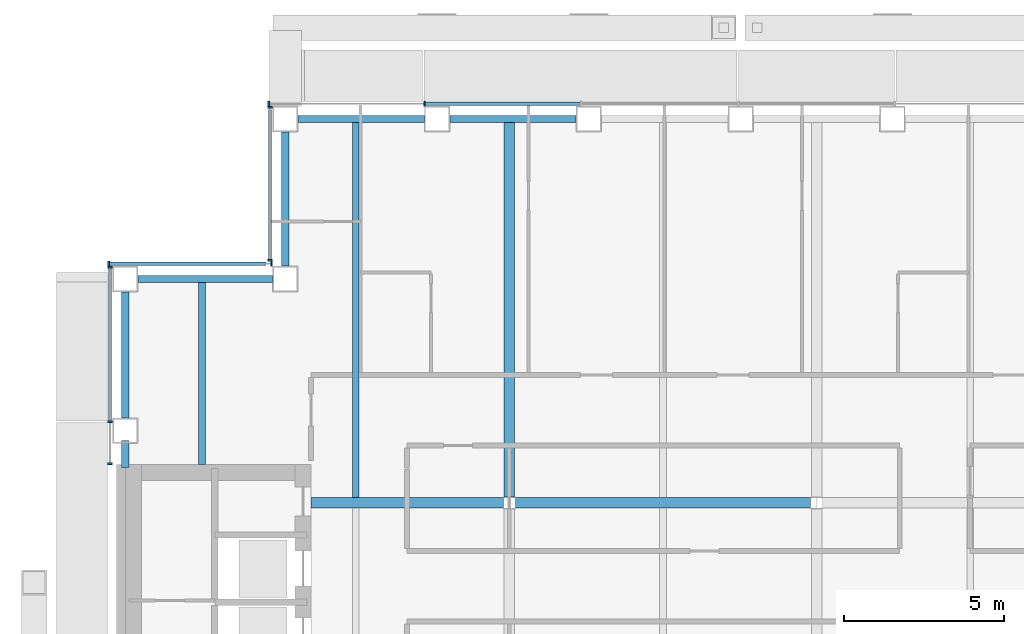
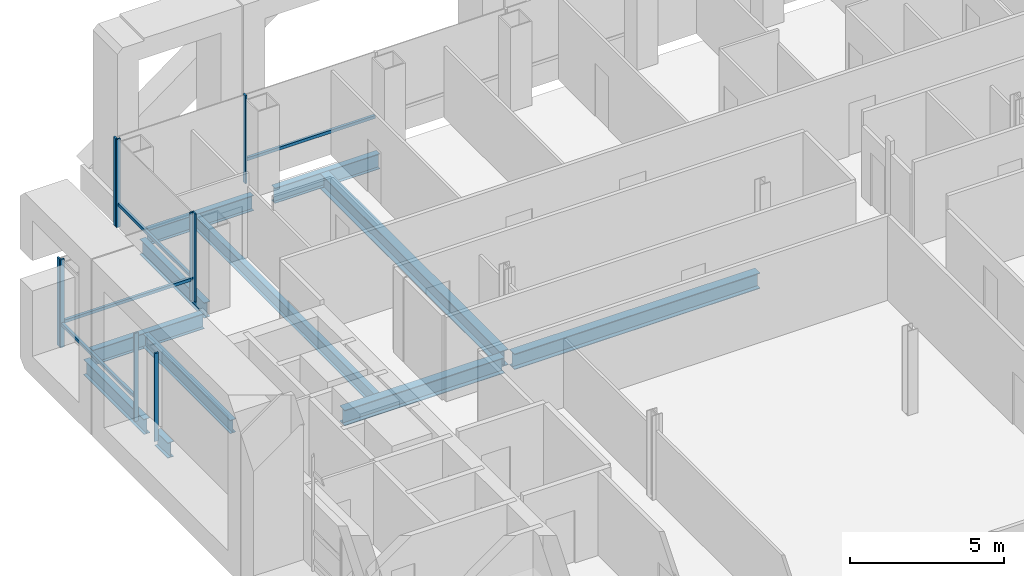
# One storey, part 8 of 22: 13 members, 11 beams, 4 elements without a shape of their own.
"""IFC4 building model written with IfcOpenShell, lengths in metres."""

from ifc_helpers import new_model, si_unit, direction, frame, origin, origin_2d, place, context, subcontext, project, spatial, rectangle, i_section, extrude, material, material_profile, profile_set, type_object, element, aggregate, save


model = new_model("IFC4")

# Units and contexts
model_context = context("Model", 3, precision=1e-05, world=origin(), true_north=direction((0.0, 1.0)))
body_context = subcontext(model_context, "Body", "Model", "MODEL_VIEW")
ifc_project = project(units=[si_unit("LENGTHUNIT", "METRE"), si_unit("AREAUNIT", "SQUARE_METRE"), si_unit("VOLUMEUNIT", "CUBIC_METRE"), si_unit("PLANEANGLEUNIT", "RADIAN"), si_unit("MASSUNIT", "GRAM", prefix="KILO")], contexts=[model_context])

# Site, building, storey
site_placement = place(None, origin())
site = spatial("IfcSite", under=ifc_project, at=site_placement, CompositionType="ELEMENT")
building_placement = place(site_placement, origin())
building = spatial("IfcBuilding", under=site, at=building_placement, Name="Cobrizo Arcos Hotel Tower", CompositionType="ELEMENT")
storey_placement = place(building_placement, frame((0.0, 0.0, 155.0)))
storey = spatial("IfcBuildingStorey", under=building, at=storey_placement, Name="L39", CompositionType="ELEMENT", Elevation=155.0)

# Curtain wall, members
ifc_material_1 = material(Name="Aluminium 6063-T6 anodised bronze", Category="aluminium")
curtain_wall_type = type_object("IfcCurtainWallType", Name="CW-A guest facade", PredefinedType="NOTDEFINED", material=ifc_material_1)
curtain_wall_1_placement = place(storey_placement, origin())
curtain_wall_1 = element("IfcCurtainWall", 1, at=curtain_wall_1_placement, inside=storey, type_object=curtain_wall_type, Name="CW-A L39 N face", PredefinedType="NOTDEFINED")
ifc_material_profile_1 = material_profile(ifc_material_1, rectangle(XDim=0.14990234375, YDim=0.06005859375, at=origin_2d()), Name="CW-A mullion 150x60")
ifc_profile_set_1 = profile_set([ifc_material_profile_1], Name="Aluminium 6063-T6 anodised bronze")
member_type_1 = type_object("IfcMemberType", Name="CW-A mullion 150x60", PredefinedType="MULLION", material=ifc_profile_set_1)
member_1_placement = place(storey_placement, frame((-12.25, 22.074951171875, 0.0), z_axis=(0.0, 0.0, 1.0), x_axis=(0.0, 1.0, 0.0)))
member_1 = element("IfcMember", 2, at=member_1_placement, type_object=member_type_1, Name="CW-A mullion 7", PredefinedType="MULLION", context=body_context, shape_type="SweptSolid", body=[
    extrude(rectangle(XDim=0.14990234375, YDim=0.06005859375, at=origin_2d()), origin(), (0.0, 0.0, 1.0), 3.5),
])
member_2_placement = place(storey_placement, frame((-17.1201171875, 22.074951171875, 0.0), z_axis=(0.0, 0.0, 1.0), x_axis=(0.0, 1.0, 0.0)))
member_2 = element("IfcMember", 3, at=member_2_placement, type_object=member_type_1, Name="CW-A mullion 8", PredefinedType="MULLION", context=body_context, shape_type="SweptSolid", body=[
    extrude(rectangle(XDim=0.14990234375, YDim=0.06005859375, at=origin_2d()), origin(), (0.0, 0.0, 1.0), 3.5),
])

curtain_wall_2_placement = place(storey_placement, origin())
curtain_wall_2 = element("IfcCurtainWall", 4, at=curtain_wall_2_placement, inside=storey, type_object=curtain_wall_type, Name="CW-A L39 W face", PredefinedType="NOTDEFINED")
member_3_placement = place(storey_placement, frame((-17.074951171875, 21.969970703125, 0.0), z_axis=(0.0, 0.0, 1.0), x_axis=(-1.0, 0.0, 0.0)))
member_3 = element("IfcMember", 5, at=member_3_placement, type_object=member_type_1, Name="CW-A mullion 1", PredefinedType="MULLION", context=body_context, shape_type="SweptSolid", body=[
    extrude(rectangle(XDim=0.14990234375, YDim=0.06005859375, at=origin_2d()), origin(), (0.0, 0.0, 1.0), 3.5),
])
member_4_placement = place(storey_placement, frame((-17.074951171875, 17.179931640625, 0.0), z_axis=(0.0, 0.0, 1.0), x_axis=(-1.0, 0.0, 0.0)))
member_4 = element("IfcMember", 6, at=member_4_placement, type_object=member_type_1, Name="CW-A mullion 2", PredefinedType="MULLION", context=body_context, shape_type="SweptSolid", body=[
    extrude(rectangle(XDim=0.14990234375, YDim=0.06005859375, at=origin_2d()), origin(), (0.0, 0.0, 1.0), 3.5),
])

curtain_wall_3_placement = place(storey_placement, origin())
curtain_wall_3 = element("IfcCurtainWall", 7, at=curtain_wall_3_placement, inside=storey, type_object=curtain_wall_type, Name="CW-A L39 N face", PredefinedType="NOTDEFINED")
member_5_placement = place(storey_placement, frame((-17.030029296875, 17.074951171875, 0.0), z_axis=(0.0, 0.0, 1.0), x_axis=(0.0, 1.0, 0.0)))
member_5 = element("IfcMember", 8, at=member_5_placement, type_object=member_type_1, Name="CW-A mullion 1", PredefinedType="MULLION", context=body_context, shape_type="SweptSolid", body=[
    extrude(rectangle(XDim=0.14990234375, YDim=0.06005859375, at=origin_2d()), origin(), (0.0, 0.0, 1.0), 3.5),
])
member_6_placement = place(storey_placement, frame((-22.1201171875, 17.074951171875, 0.0), z_axis=(0.0, 0.0, 1.0), x_axis=(0.0, 1.0, 0.0)))
member_6 = element("IfcMember", 9, at=member_6_placement, type_object=member_type_1, Name="CW-A mullion 2", PredefinedType="MULLION", context=body_context, shape_type="SweptSolid", body=[
    extrude(rectangle(XDim=0.14990234375, YDim=0.06005859375, at=origin_2d()), origin(), (0.0, 0.0, 1.0), 3.5),
])

curtain_wall_4_placement = place(storey_placement, origin())
curtain_wall_4 = element("IfcCurtainWall", 10, at=curtain_wall_4_placement, inside=storey, type_object=curtain_wall_type, Name="CW-A L39 W face", PredefinedType="NOTDEFINED")
member_7_placement = place(storey_placement, frame((-22.074951171875, 16.969970703125, 0.0), z_axis=(0.0, 0.0, 1.0), x_axis=(-1.0, 0.0, 0.0)))
member_7 = element("IfcMember", 11, at=member_7_placement, type_object=member_type_1, Name="CW-A mullion 1", PredefinedType="MULLION", context=body_context, shape_type="SweptSolid", body=[
    extrude(rectangle(XDim=0.14990234375, YDim=0.06005859375, at=origin_2d()), origin(), (0.0, 0.0, 1.0), 3.5),
])
member_8_placement = place(storey_placement, frame((-22.074951171875, 12.142822265625, 0.0), z_axis=(0.0, 0.0, 1.0), x_axis=(-1.0, 0.0, 0.0)))
member_8 = element("IfcMember", 12, at=member_8_placement, type_object=member_type_1, Name="CW-A mullion 2", PredefinedType="MULLION", context=body_context, shape_type="SweptSolid", body=[
    extrude(rectangle(XDim=0.14990234375, YDim=0.06005859375, at=origin_2d()), origin(), (0.0, 0.0, 1.0), 3.5),
])
member_9_placement = place(storey_placement, frame((-22.074951171875, 10.830078125, 0.0), z_axis=(0.0, 0.0, 1.0), x_axis=(-1.0, 0.0, 0.0)))
member_9 = element("IfcMember", 13, at=member_9_placement, type_object=member_type_1, Name="CW-A mullion 3", PredefinedType="MULLION", context=body_context, shape_type="SweptSolid", body=[
    extrude(rectangle(XDim=0.14990234375, YDim=0.06005859375, at=origin_2d()), origin(), (0.0, 0.0, 1.0), 3.5),
])

# Member
ifc_material_profile_2 = material_profile(ifc_material_1, rectangle(XDim=0.10009765625, YDim=0.1201171875, at=origin_2d()), Name="CW-A transom 120x100")
ifc_profile_set_2 = profile_set([ifc_material_profile_2], Name="Aluminium 6063-T6 anodised bronze")
member_type_2 = type_object("IfcMemberType", Name="CW-A transom 120x100", PredefinedType="USERDEFINED", material=ifc_profile_set_2)
member_10_placement = place(storey_placement, frame((-7.3798828125, 22.074951171875, 0.929931640625), z_axis=(-1.0, 0.0, 0.0), x_axis=(0.0, -1.0, 0.0)))
member_10 = element("IfcMember", 14, at=member_10_placement, type_object=member_type_2, Name="CW-A transom 1416", ObjectType="TRANSOM", PredefinedType="USERDEFINED", context=body_context, shape_type="SweptSolid", body=[
    extrude(rectangle(XDim=0.10009765625, YDim=0.1201171875, at=origin_2d()), origin(), (0.0, 0.0, 1.0), 4.840087890625),
])

aggregate(curtain_wall_1, [member_1, member_2, member_10])

member_11_placement = place(storey_placement, frame((-17.074951171875, 21.889892578125, 0.929931640625), z_axis=(0.0, -1.0, 0.0), x_axis=(1.0, 0.0, 0.0)))
member_11 = element("IfcMember", 15, at=member_11_placement, type_object=member_type_2, Name="CW-A transom 1418", ObjectType="TRANSOM", PredefinedType="USERDEFINED", context=body_context, shape_type="SweptSolid", body=[
    extrude(rectangle(XDim=0.10009765625, YDim=0.1201171875, at=origin_2d()), origin(), (0.0, 0.0, 1.0), 4.679931640625),
])

aggregate(curtain_wall_2, [member_3, member_4, member_11])

member_12_placement = place(storey_placement, frame((-17.199951171875, 17.074951171875, 0.929931640625), z_axis=(-1.0, 0.0, 0.0), x_axis=(0.0, -1.0, 0.0)))
member_12 = element("IfcMember", 16, at=member_12_placement, type_object=member_type_2, Name="CW-A transom 1419", ObjectType="TRANSOM", PredefinedType="USERDEFINED", context=body_context, shape_type="SweptSolid", body=[
    extrude(rectangle(XDim=0.10009765625, YDim=0.1201171875, at=origin_2d()), origin(), (0.0, 0.0, 1.0), 4.89013671875),
])

aggregate(curtain_wall_3, [member_5, member_6, member_12])

member_13_placement = place(storey_placement, frame((-22.074951171875, 16.93994140625, 0.929931640625), z_axis=(0.0, -1.0, 0.0), x_axis=(1.0, 0.0, 0.0)))
member_13 = element("IfcMember", 17, at=member_13_placement, type_object=member_type_2, Name="CW-A transom 1420", ObjectType="TRANSOM", PredefinedType="USERDEFINED", context=body_context, shape_type="SweptSolid", body=[
    extrude(rectangle(XDim=0.10009765625, YDim=0.1201171875, at=origin_2d()), origin(), (0.0, 0.0, 1.0), 4.76708984375),
])

aggregate(curtain_wall_4, [member_7, member_8, member_9, member_13])

# Beams
ifc_material_2 = material(Name="Steel ASTM A992 Grade 50", Category="steel")
ifc_material_profile_3 = material_profile(ifc_material_2, i_section(OverallWidth=0.209228515625, OverallDepth=0.533447265625, WebThickness=0.01025390625, FlangeThickness=0.015625, at=origin_2d()), Name="W21X62")
ifc_profile_set_3 = profile_set([ifc_material_profile_3], Name="Steel ASTM A992 Grade 50")
beam_type_1 = type_object("IfcBeamType", Name="W21X62 joist", PredefinedType="JOIST", material=ifc_profile_set_3)
beam_1_placement = place(storey_placement, frame((-19.199951171875, 10.81005859375, -0.416748046875), z_axis=(0.0, 1.0, 0.0), x_axis=(-1.0, 0.0, 0.0)))
element("IfcBeam", 18, at=beam_1_placement, inside=storey, type_object=beam_type_1, Name="Floor joist J1, L39, no. 002", PredefinedType="JOIST", context=body_context, shape_type="SweptSolid", body=[
    extrude(i_section(OverallWidth=0.209228515625, OverallDepth=0.533447265625, WebThickness=0.01025390625, FlangeThickness=0.015625, at=origin_2d()), origin(), (0.0, 0.0, 1.0), 5.699951171875),
])
beam_2_placement = place(storey_placement, frame((-14.39990234375, 9.763916015625, -0.416748046875), z_axis=(0.0, 1.0, 0.0), x_axis=(-1.0, 0.0, 0.0)))
element("IfcBeam", 19, at=beam_2_placement, inside=storey, type_object=beam_type_1, Name="Floor joist J1, L39, no. 006", PredefinedType="JOIST", context=body_context, shape_type="SweptSolid", body=[
    extrude(i_section(OverallWidth=0.209228515625, OverallDepth=0.533447265625, WebThickness=0.01025390625, FlangeThickness=0.015625, at=origin_2d()), origin(), (0.0, 0.0, 1.0), 11.74609375),
])
ifc_material_profile_4 = material_profile(ifc_material_2, i_section(OverallWidth=0.32763671875, OverallDepth=0.622314453125, WebThickness=0.015380859375, FlangeThickness=0.0244140625, at=origin_2d()), Name="W24X131")
ifc_profile_set_4 = profile_set([ifc_material_profile_4], Name="Steel ASTM A992 Grade 50")
beam_type_2 = type_object("IfcBeamType", Name="W24X131 girder", PredefinedType="BEAM", material=ifc_profile_set_4)
beam_3_placement = place(storey_placement, frame((-15.7900390625, 9.60009765625, -0.461181640625), z_axis=(1.0, 0.0, 0.0), x_axis=(0.0, 1.0, 0.0)))
element("IfcBeam", 20, at=beam_3_placement, inside=storey, type_object=beam_type_2, Name="Floor girder G1, L39, no. 009", PredefinedType="BEAM", context=body_context, shape_type="SweptSolid", body=[
    extrude(i_section(OverallWidth=0.32763671875, OverallDepth=0.622314453125, WebThickness=0.015380859375, FlangeThickness=0.0244140625, at=origin_2d()), origin(), (0.0, 0.0, 1.0), 6.00341796875),
])
beam_4_placement = place(storey_placement, frame((-9.413330078125, 9.60009765625, -0.461181640625), z_axis=(1.0, 0.0, 0.0), x_axis=(0.0, 1.0, 0.0)))
element("IfcBeam", 21, at=beam_4_placement, inside=storey, type_object=beam_type_2, Name="Floor girder G1, L39, no. 010", PredefinedType="BEAM", context=body_context, shape_type="SweptSolid", body=[
    extrude(i_section(OverallWidth=0.32763671875, OverallDepth=0.622314453125, WebThickness=0.015380859375, FlangeThickness=0.0244140625, at=origin_2d()), origin(), (0.0, 0.0, 1.0), 9.2265625),
])
beam_5_placement = place(storey_placement, frame((-9.60009765625, 9.78662109375, -0.461181640625), z_axis=(0.0, 1.0, 0.0), x_axis=(-1.0, 0.0, 0.0)))
element("IfcBeam", 22, at=beam_5_placement, inside=storey, type_object=beam_type_2, Name="Floor girder G1, L39, no. 016", PredefinedType="BEAM", context=body_context, shape_type="SweptSolid", body=[
    extrude(i_section(OverallWidth=0.32763671875, OverallDepth=0.622314453125, WebThickness=0.015380859375, FlangeThickness=0.0244140625, at=origin_2d()), origin(), (0.0, 0.0, 1.0), 11.723388671875),
])
ifc_material_profile_5 = material_profile(ifc_material_2, i_section(OverallWidth=0.228271484375, OverallDepth=0.607177734375, WebThickness=0.01123046875, FlangeThickness=0.017333984375, at=origin_2d()), Name="W24X76")
ifc_profile_set_5 = profile_set([ifc_material_profile_5], Name="Steel ASTM A992 Grade 50")
beam_type_3 = type_object("IfcBeamType", Name="W24X76 spandrel", PredefinedType="SPANDREL", material=ifc_profile_set_5)
beam_6_placement = place(storey_placement, frame((-7.513916015625, 21.60009765625, -0.45361328125), z_axis=(-1.0, 0.0, 0.0), x_axis=(0.0, -1.0, 0.0)))
element("IfcBeam", 23, at=beam_6_placement, inside=storey, type_object=beam_type_3, Name="Spandrel beam W24X76, L39, no. 021", PredefinedType="SPANDREL", context=body_context, shape_type="SweptSolid", body=[
    extrude(i_section(OverallWidth=0.228271484375, OverallDepth=0.607177734375, WebThickness=0.01123046875, FlangeThickness=0.017333984375, at=origin_2d()), origin(), (0.0, 0.0, 1.0), 3.943115234375),
])
beam_7_placement = place(storey_placement, frame((-12.257080078125, 21.60009765625, -0.45361328125), z_axis=(-1.0, 0.0, 0.0), x_axis=(0.0, -1.0, 0.0)))
element("IfcBeam", 24, at=beam_7_placement, inside=storey, type_object=beam_type_3, Name="Spandrel beam W24X76, L39, no. 022", PredefinedType="SPANDREL", context=body_context, shape_type="SweptSolid", body=[
    extrude(i_section(OverallWidth=0.228271484375, OverallDepth=0.607177734375, WebThickness=0.01123046875, FlangeThickness=0.017333984375, at=origin_2d()), origin(), (0.0, 0.0, 1.0), 3.94287109375),
])
for number, where, z_axis, x_axis, name in (
    (25, (-16.60009765625, 21.199951171875, -0.45361328125), (0.0, -1.0, 0.0), (1.0, 0.0, 0.0), "Spandrel beam W24X76, L39, no. 023"),
    (26, (-17.0, 16.60009765625, -0.45361328125), (-1.0, 0.0, 0.0), (0.0, -1.0, 0.0), "Spandrel beam W24X76, L39, no. 024"),
):
    element("IfcBeam", number, at=place(storey_placement, frame(where, z_axis=z_axis, x_axis=x_axis)), inside=storey, type_object=beam_type_3, Name=name, PredefinedType="SPANDREL", context=body_context, shape_type="SweptSolid", body=[
        extrude(i_section(OverallWidth=0.228271484375, OverallDepth=0.607177734375, WebThickness=0.01123046875, FlangeThickness=0.017333984375, at=origin_2d()), origin(), (0.0, 0.0, 1.0), 4.199951171875),
    ])
beam_8_placement = place(storey_placement, frame((-21.60009765625, 16.199951171875, -0.45361328125), z_axis=(0.0, -1.0, 0.0), x_axis=(1.0, 0.0, 0.0)))
element("IfcBeam", 27, at=beam_8_placement, inside=storey, type_object=beam_type_3, Name="Spandrel beam W24X76, L39, no. 025", PredefinedType="SPANDREL", context=body_context, shape_type="SweptSolid", body=[
    extrude(i_section(OverallWidth=0.228271484375, OverallDepth=0.607177734375, WebThickness=0.01123046875, FlangeThickness=0.017333984375, at=origin_2d()), origin(), (0.0, 0.0, 1.0), 3.94287109375),
])
beam_9_placement = place(storey_placement, frame((-21.60009765625, 11.556884765625, -0.45361328125), z_axis=(0.0, -1.0, 0.0), x_axis=(1.0, 0.0, 0.0)))
element("IfcBeam", 28, at=beam_9_placement, inside=storey, type_object=beam_type_3, Name="Spandrel beam W24X76, L39, no. 026", PredefinedType="SPANDREL", context=body_context, shape_type="SweptSolid", body=[
    extrude(i_section(OverallWidth=0.228271484375, OverallDepth=0.607177734375, WebThickness=0.01123046875, FlangeThickness=0.017333984375, at=origin_2d()), origin(), (0.0, 0.0, 1.0), 0.846923828125),
])

save(model, "model.ifc")
